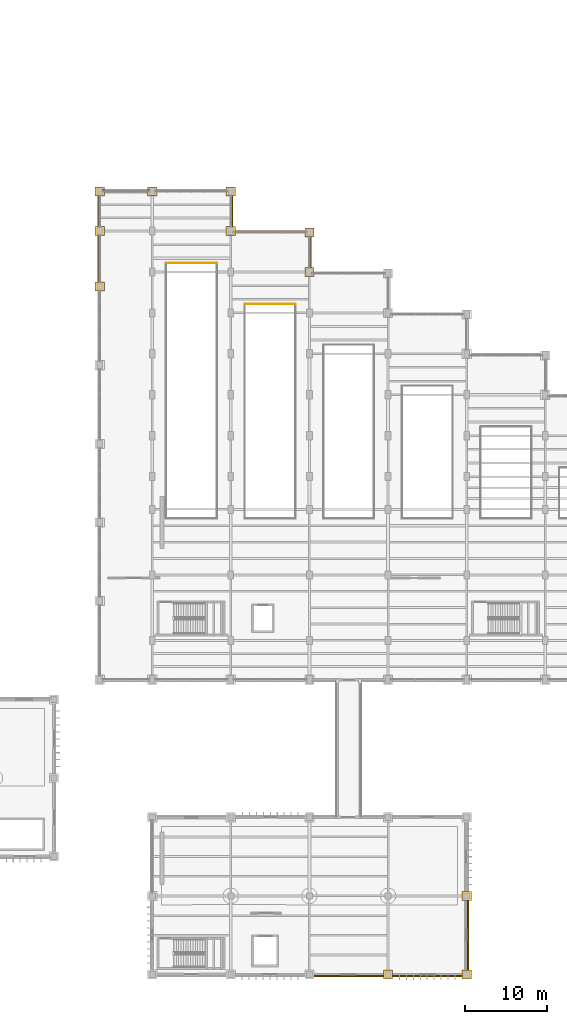
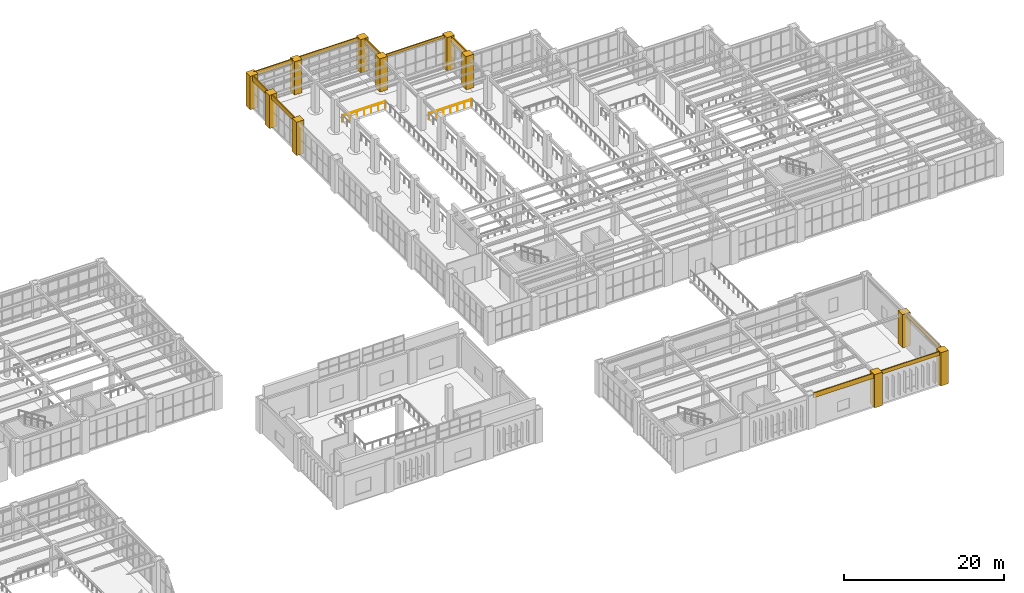
# One storey, part 170 of 174: 21 coverings, 2 railings.
"""IFC4 building model written with IfcOpenShell, lengths in metres."""

from ifc_helpers import new_model, si_unit, direction, frame, origin, origin_2d, place, context, subcontext, project, spatial, polyline, circle, outline, extrude, material, layer, layer_set, type_object, element, save


model = new_model("IFC4")

# Units and contexts
model_context = context("Model", 3, precision=1e-05, world=origin(), true_north=direction((0.0, 1.0)))
body_context = subcontext(model_context, "Body", "Model", "MODEL_VIEW")
ifc_project = project(units=[si_unit("LENGTHUNIT", "METRE"), si_unit("AREAUNIT", "SQUARE_METRE"), si_unit("VOLUMEUNIT", "CUBIC_METRE"), si_unit("PLANEANGLEUNIT", "RADIAN"), si_unit("MASSUNIT", "GRAM", prefix="KILO")], contexts=[model_context])

# Site, building, storey
site_placement = place(None, origin())
site = spatial("IfcSite", under=ifc_project, at=site_placement, CompositionType="ELEMENT")
building_placement = place(site_placement, origin())
building = spatial("IfcBuilding", under=site, at=building_placement, Name="Mavantir Sound Aquarium", CompositionType="ELEMENT")
storey_placement = place(building_placement, frame((0.0, 0.0, 5.39990234375)))
storey = spatial("IfcBuildingStorey", under=building, at=storey_placement, Name="L01", CompositionType="ELEMENT", Elevation=5.39990234375)

# Coverings
ifc_material_1 = material(Name="Honed Coral-Limestone & Glazed Terracotta Rainscreen Cladding", Category="masonry")
ifc_layer = layer(ifc_material_1, 0.06005859375, Name="Honed Coral-Limestone & Glazed Terracotta Rainscreen Cladding")
ifc_layer_set = layer_set([ifc_layer], Name="Honed Coral-Limestone & Glazed Terracotta Rainscreen Cladding")
covering_type = type_object("IfcCoveringType", Name="COV-CLAD-TC", PredefinedType="CLADDING", material=ifc_layer_set)
covering_1_placement = place(storey_placement, frame((0.0, 0.0, 4.085205078125)))
element("IfcCovering", 1, at=covering_1_placement, inside=storey, type_object=covering_type, Name="L01 Postmodern coral-limestone spandrel frieze 212", PredefinedType="CLADDING", context=body_context, shape_type="SweptSolid", body=[
    extrude(outline(polyline([(127.2900390625, 86.30810546875), (127.2900390625, 90.092041015625), (127.43994140625, 90.092041015625), (127.43994140625, 86.30810546875), (127.2900390625, 86.30810546875)])), origin(), (0.0, 0.0, 1.0), 1.014892578125),
])
covering_2_placement = place(storey_placement, frame((0.0, 0.0, 4.710205078125)))
element("IfcCovering", 2, at=covering_2_placement, inside=storey, type_object=covering_type, Name="L01 Postmodern coral-limestone spandrel frieze 213", PredefinedType="CLADDING", context=body_context, shape_type="SweptSolid", body=[
    extrude(outline(polyline([(126.842041015625, 90.68994140625), (117.9580078125, 90.68994140625), (117.9580078125, 90.840087890625), (126.842041015625, 90.840087890625), (126.842041015625, 90.68994140625)])), origin(), (0.0, 0.0, 1.0), 0.389892578125),
])
covering_3_placement = place(storey_placement, frame((0.0, 0.0, 4.22705078125)))
element("IfcCovering", 3, at=covering_3_placement, inside=storey, type_object=covering_type, Name="L01 Postmodern coral-limestone spandrel frieze 214", PredefinedType="CLADDING", context=body_context, shape_type="SweptSolid", body=[
    extrude(outline(polyline([(117.68994140625, 91.30810546875), (117.68994140625, 95.092041015625), (117.840087890625, 95.092041015625), (117.840087890625, 91.30810546875), (117.68994140625, 91.30810546875)])), origin(), (0.0, 0.0, 1.0), 0.873046875),
])
covering_4_placement = place(storey_placement, frame((0.0, 0.0, 4.4931640625)))
element("IfcCovering", 4, at=covering_4_placement, inside=storey, type_object=covering_type, Name="L01 Postmodern coral-limestone spandrel frieze 215", PredefinedType="CLADDING", context=body_context, shape_type="SweptSolid", body=[
    extrude(outline(polyline([(117.241943359375, 95.68994140625), (108.35791015625, 95.68994140625), (108.35791015625, 95.840087890625), (117.241943359375, 95.840087890625), (117.241943359375, 95.68994140625)])), origin(), (0.0, 0.0, 1.0), 0.60693359375),
])
covering_5_placement = place(storey_placement, frame((0.0, 0.0, 4.38818359375)))
element("IfcCovering", 5, at=covering_5_placement, inside=storey, type_object=covering_type, Name="L01 Postmodern coral-limestone spandrel frieze 216", PredefinedType="CLADDING", context=body_context, shape_type="SweptSolid", body=[
    extrude(outline(polyline([(107.64208984375, 95.68994140625), (101.9580078125, 95.68994140625), (101.9580078125, 95.840087890625), (107.64208984375, 95.840087890625), (107.64208984375, 95.68994140625)])), origin(), (0.0, 0.0, 1.0), 0.7119140625),
])
covering_6_placement = place(storey_placement, frame((0.0, 0.0, 4.279052734375)))
element("IfcCovering", 6, at=covering_6_placement, inside=storey, type_object=covering_type, Name="L01 Postmodern coral-limestone spandrel frieze 217", PredefinedType="CLADDING", context=body_context, shape_type="SweptSolid", body=[
    extrude(outline(polyline([(101.510009765625, 95.092041015625), (101.510009765625, 91.30810546875), (101.360107421875, 91.30810546875), (101.360107421875, 95.092041015625), (101.510009765625, 95.092041015625)])), origin(), (0.0, 0.0, 1.0), 0.821044921875),
])
covering_7_placement = place(storey_placement, frame((0.0, 0.0, 4.39599609375)))
element("IfcCovering", 7, at=covering_7_placement, inside=storey, type_object=covering_type, Name="L01 Postmodern coral-limestone spandrel frieze 218", PredefinedType="CLADDING", context=body_context, shape_type="SweptSolid", body=[
    extrude(outline(polyline([(101.510009765625, 90.2919921875), (101.510009765625, 84.508056640625), (101.360107421875, 84.508056640625), (101.360107421875, 90.2919921875), (101.510009765625, 90.2919921875)])), origin(), (0.0, 0.0, 1.0), 0.7041015625),
])
covering_8_placement = place(storey_placement, frame((0.0, 0.0, 4.427978515625)))
element("IfcCovering", 8, at=covering_8_placement, inside=storey, type_object=covering_type, Name="L01 Postmodern coral-limestone spandrel frieze 260", PredefinedType="CLADDING", context=body_context, shape_type="SweptSolid", body=[
    extrude(outline(polyline([(146.489990234375, 0.383056640625), (146.489990234375, 9.217041015625), (146.639892578125, 9.217041015625), (146.639892578125, 0.383056640625), (146.489990234375, 0.383056640625)])), origin(), (0.0, 0.0, 1.0), 0.672119140625),
])
covering_9_placement = place(storey_placement, frame((0.0, 0.0, 4.358154296875)))
element("IfcCovering", 9, at=covering_9_placement, inside=storey, type_object=covering_type, Name="L01 Postmodern coral-limestone spandrel frieze 271", PredefinedType="CLADDING", context=body_context, shape_type="SweptSolid", body=[
    extrude(outline(polyline([(127.5830078125, -0.090087890625), (136.4169921875, -0.090087890625), (136.4169921875, -0.239990234375), (127.5830078125, -0.239990234375), (127.5830078125, -0.090087890625)])), origin(), (0.0, 0.0, 1.0), 0.741943359375),
])
covering_10_placement = place(storey_placement, frame((0.0, 0.0, 4.533203125)))
element("IfcCovering", 10, at=covering_10_placement, inside=storey, type_object=covering_type, Name="L01 Postmodern coral-limestone spandrel frieze 272", PredefinedType="CLADDING", context=body_context, shape_type="SweptSolid", body=[
    extrude(outline(polyline([(137.18310546875, -0.090087890625), (146.01708984375, -0.090087890625), (146.01708984375, -0.239990234375), (137.18310546875, -0.239990234375), (137.18310546875, -0.090087890625)])), origin(), (0.0, 0.0, 1.0), 0.56689453125),
])
covering_11_placement = place(storey_placement, origin())
element("IfcCovering", 11, at=covering_11_placement, inside=storey, type_object=covering_type, Name="L01 Postmodern coral-limestone pilaster casing 222", PredefinedType="CLADDING", context=body_context, shape_type="SweptSolid", body=[
    extrude(outline(polyline([(101.0400390625, 83.43994140625), (102.159912109375, 83.43994140625), (102.159912109375, 84.56005859375), (101.0400390625, 84.56005859375), (101.0400390625, 83.43994140625)])), origin(), (0.0, 0.0, 1.0), 5.10009765625),
])
covering_12_placement = place(storey_placement, origin())
element("IfcCovering", 12, at=covering_12_placement, inside=storey, type_object=covering_type, Name="L01 Postmodern coral-limestone pilaster casing 224", PredefinedType="CLADDING", context=body_context, shape_type="SweptSolid", body=[
    extrude(outline(polyline([(101.0400390625, 90.239990234375), (102.159912109375, 90.239990234375), (102.159912109375, 91.360107421875), (101.0400390625, 91.360107421875), (101.0400390625, 90.239990234375)])), origin(), (0.0, 0.0, 1.0), 5.10009765625),
])
covering_13_placement = place(storey_placement, origin())
element("IfcCovering", 13, at=covering_13_placement, inside=storey, type_object=covering_type, Name="L01 Postmodern coral-limestone pilaster casing 226", PredefinedType="CLADDING", context=body_context, shape_type="SweptSolid", body=[
    extrude(outline(polyline([(101.0400390625, 95.0400390625), (102.159912109375, 95.0400390625), (102.159912109375, 96.159912109375), (101.0400390625, 96.159912109375), (101.0400390625, 95.0400390625)])), origin(), (0.0, 0.0, 1.0), 5.10009765625),
])
covering_14_placement = place(storey_placement, origin())
element("IfcCovering", 14, at=covering_14_placement, inside=storey, type_object=covering_type, Name="L01 Postmodern coral-limestone pilaster casing 250", PredefinedType="CLADDING", context=body_context, shape_type="SweptSolid", body=[
    extrude(outline(polyline([(107.43994140625, 95.0400390625), (108.56005859375, 95.0400390625), (108.56005859375, 96.159912109375), (107.43994140625, 96.159912109375), (107.43994140625, 95.0400390625)])), origin(), (0.0, 0.0, 1.0), 5.10009765625),
])
covering_15_placement = place(storey_placement, origin())
element("IfcCovering", 15, at=covering_15_placement, inside=storey, type_object=covering_type, Name="L01 Postmodern coral-limestone pilaster casing 258", PredefinedType="CLADDING", context=body_context, shape_type="SweptSolid", body=[
    extrude(outline(polyline([(117.0400390625, 90.239990234375), (118.159912109375, 90.239990234375), (118.159912109375, 91.360107421875), (117.0400390625, 91.360107421875), (117.0400390625, 90.239990234375)])), origin(), (0.0, 0.0, 1.0), 5.10009765625),
])
covering_16_placement = place(storey_placement, origin())
element("IfcCovering", 16, at=covering_16_placement, inside=storey, type_object=covering_type, Name="L01 Postmodern coral-limestone pilaster casing 262", PredefinedType="CLADDING", context=body_context, shape_type="SweptSolid", body=[
    extrude(outline(polyline([(117.0400390625, 95.0400390625), (118.159912109375, 95.0400390625), (118.159912109375, 96.159912109375), (117.0400390625, 96.159912109375), (117.0400390625, 95.0400390625)])), origin(), (0.0, 0.0, 1.0), 5.10009765625),
])
covering_17_placement = place(storey_placement, origin())
element("IfcCovering", 17, at=covering_17_placement, inside=storey, type_object=covering_type, Name="L01 Postmodern coral-limestone pilaster casing 270", PredefinedType="CLADDING", context=body_context, shape_type="SweptSolid", body=[
    extrude(outline(polyline([(126.639892578125, 85.239990234375), (127.760009765625, 85.239990234375), (127.760009765625, 86.360107421875), (126.639892578125, 86.360107421875), (126.639892578125, 85.239990234375)])), origin(), (0.0, 0.0, 1.0), 5.10009765625),
])
covering_18_placement = place(storey_placement, origin())
element("IfcCovering", 18, at=covering_18_placement, inside=storey, type_object=covering_type, Name="L01 Postmodern coral-limestone pilaster casing 274", PredefinedType="CLADDING", context=body_context, shape_type="SweptSolid", body=[
    extrude(outline(polyline([(126.639892578125, 90.0400390625), (127.760009765625, 90.0400390625), (127.760009765625, 91.159912109375), (126.639892578125, 91.159912109375), (126.639892578125, 90.0400390625)])), origin(), (0.0, 0.0, 1.0), 5.10009765625),
])
covering_19_placement = place(storey_placement, origin())
element("IfcCovering", 19, at=covering_19_placement, inside=storey, type_object=covering_type, Name="L01 Postmodern coral-limestone pilaster casing 448", PredefinedType="CLADDING", context=body_context, shape_type="SweptSolid", body=[
    extrude(outline(polyline([(136.239990234375, -0.56005859375), (137.360107421875, -0.56005859375), (137.360107421875, 0.56005859375), (136.239990234375, 0.56005859375), (136.239990234375, -0.56005859375)])), origin(), (0.0, 0.0, 1.0), 5.10009765625),
])
covering_20_placement = place(storey_placement, origin())
element("IfcCovering", 20, at=covering_20_placement, inside=storey, type_object=covering_type, Name="L01 Postmodern coral-limestone pilaster casing 455", PredefinedType="CLADDING", context=body_context, shape_type="SweptSolid", body=[
    extrude(outline(polyline([(145.840087890625, -0.56005859375), (146.9599609375, -0.56005859375), (146.9599609375, 0.56005859375), (145.840087890625, 0.56005859375), (145.840087890625, -0.56005859375)])), origin(), (0.0, 0.0, 1.0), 5.10009765625),
])
covering_21_placement = place(storey_placement, origin())
element("IfcCovering", 21, at=covering_21_placement, inside=storey, type_object=covering_type, Name="L01 Postmodern coral-limestone pilaster casing 456", PredefinedType="CLADDING", context=body_context, shape_type="SweptSolid", body=[
    extrude(outline(polyline([(145.840087890625, 9.0400390625), (146.9599609375, 9.0400390625), (146.9599609375, 10.159912109375), (145.840087890625, 10.159912109375), (145.840087890625, 9.0400390625)])), origin(), (0.0, 0.0, 1.0), 5.10009765625),
])

# Railings
ifc_material_2 = material(Name="Stainless Steel 316 and Laminated Glass Guardrail", Category="steel")
railing_type = type_object("IfcRailingType", Name="RL-GUARD-110", PredefinedType="GUARDRAIL", material=ifc_material_2)
railing_1_placement = place(storey_placement, frame((115.89990234375, 86.89990234375, 0.0)))
element("IfcRailing", 22, at=railing_1_placement, inside=storey, type_object=railing_type, Name="L01 atrium void N guardrail 101", PredefinedType="GUARDRAIL", context=body_context, shape_type="SweptSolid", body=[
    extrude(circle(Radius=0.02392578125, at=origin_2d()), frame((0.0, 0.0, 1.076171875), z_axis=(-1.0, 0.0, 0.0), x_axis=(0.0, -1.0, 0.0)), (0.0, 0.0, 1.0), 6.119873046875),
    extrude(circle(Radius=0.02099609375, at=origin_2d()), origin(), (0.0, 0.0, 1.0), 1.052001953125),
    extrude(circle(Radius=0.02099609375, at=origin_2d()), frame((-1.02001953125, 0.0, 0.0)), (0.0, 0.0, 1.0), 1.052001953125),
    extrude(circle(Radius=0.02099609375, at=origin_2d()), frame((-2.0400390625, 0.0, 0.0)), (0.0, 0.0, 1.0), 1.052001953125),
    extrude(circle(Radius=0.02099609375, at=origin_2d()), frame((-3.06005859375, 0.0, 0.0)), (0.0, 0.0, 1.0), 1.052001953125),
    extrude(circle(Radius=0.02099609375, at=origin_2d()), frame((-4.079833984375, 0.0, 0.0)), (0.0, 0.0, 1.0), 1.052001953125),
    extrude(circle(Radius=0.02099609375, at=origin_2d()), frame((-5.099853515625, 0.0, 0.0)), (0.0, 0.0, 1.0), 1.052001953125),
    extrude(circle(Radius=0.02099609375, at=origin_2d()), frame((-6.119873046875, 0.0, 0.0)), (0.0, 0.0, 1.0), 1.052001953125),
])
railing_2_placement = place(storey_placement, frame((125.5, 81.89990234375, 0.0)))
element("IfcRailing", 23, at=railing_2_placement, inside=storey, type_object=railing_type, Name="L01 atrium void N guardrail 105", PredefinedType="GUARDRAIL", context=body_context, shape_type="SweptSolid", body=[
    extrude(circle(Radius=0.02392578125, at=origin_2d()), frame((0.0, 0.0, 1.076171875), z_axis=(-1.0, 0.0, 0.0), x_axis=(0.0, -1.0, 0.0)), (0.0, 0.0, 1.0), 6.1201171875),
    extrude(circle(Radius=0.02099609375, at=origin_2d()), origin(), (0.0, 0.0, 1.0), 1.052001953125),
    extrude(circle(Radius=0.02099609375, at=origin_2d()), frame((-1.02001953125, 0.0, 0.0)), (0.0, 0.0, 1.0), 1.052001953125),
    extrude(circle(Radius=0.02099609375, at=origin_2d()), frame((-2.0400390625, 0.0, 0.0)), (0.0, 0.0, 1.0), 1.052001953125),
    extrude(circle(Radius=0.02099609375, at=origin_2d()), frame((-3.06005859375, 0.0, 0.0)), (0.0, 0.0, 1.0), 1.052001953125),
    extrude(circle(Radius=0.02099609375, at=origin_2d()), frame((-4.080078125, 0.0, 0.0)), (0.0, 0.0, 1.0), 1.052001953125),
    extrude(circle(Radius=0.02099609375, at=origin_2d()), frame((-5.10009765625, 0.0, 0.0)), (0.0, 0.0, 1.0), 1.052001953125),
    extrude(circle(Radius=0.02099609375, at=origin_2d()), frame((-6.1201171875, 0.0, 0.0)), (0.0, 0.0, 1.0), 1.052001953125),
])

save(model, "model.ifc")
